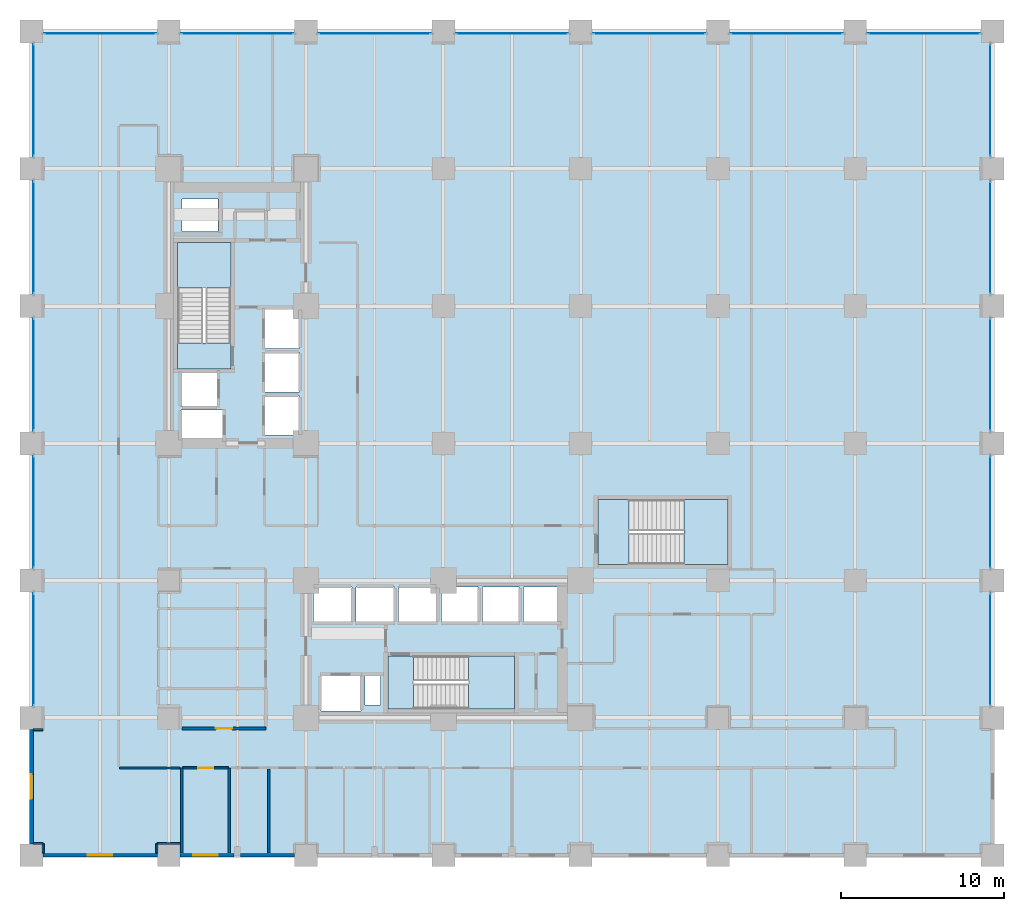
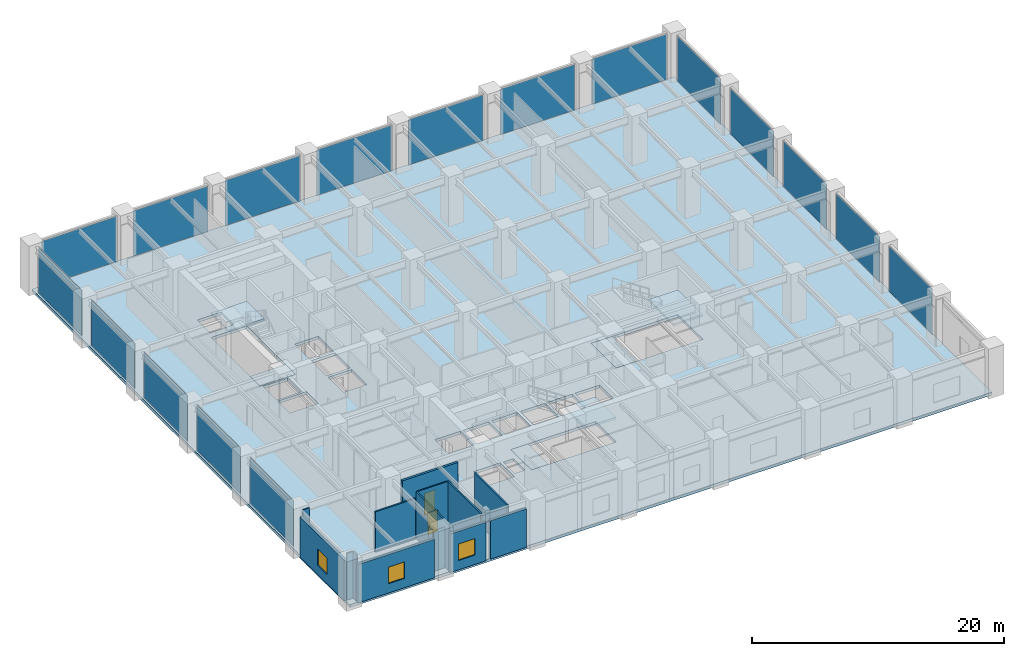
# One storey, part 18 of 24: 17 plates, 15 walls, 7 slabs, 3 windows, 2 doors, 5 openings, 20 elements without a shape of their own.
"""IFC4 building model written with IfcOpenShell, lengths in metres."""

from ifc_helpers import new_model, si_unit, direction, frame, frame_2d, origin, origin_2d, place, context, subcontext, project, spatial, polyline, rectangle, outline, extrude, material, layer, layer_set, type_object, element, fill, aggregate, save


model = new_model("IFC4")

# Units and contexts
model_context = context("Model", 3, precision=1e-05, world=origin(), true_north=direction((0.0, 1.0)))
body_context = subcontext(model_context, "Body", "Model", "MODEL_VIEW")
ifc_project = project(units=[si_unit("LENGTHUNIT", "METRE"), si_unit("AREAUNIT", "SQUARE_METRE"), si_unit("VOLUMEUNIT", "CUBIC_METRE"), si_unit("PLANEANGLEUNIT", "RADIAN"), si_unit("MASSUNIT", "GRAM", prefix="KILO")], contexts=[model_context])

# Site, building, storey
site_placement = place(None, origin())
site = spatial("IfcSite", under=ifc_project, at=site_placement, CompositionType="ELEMENT")
building_placement = place(site_placement, origin())
building = spatial("IfcBuilding", under=site, at=building_placement, Name="Nerrivon Quay Data Exchange", CompositionType="ELEMENT")
storey_placement = place(building_placement, frame((0.0, 0.0, 10.199951171875)))
storey = spatial("IfcBuildingStorey", under=building, at=storey_placement, Name="L02", CompositionType="ELEMENT", Elevation=10.199951171875)

# Curtain wall, plate
ifc_material_1 = material(Name="Anodised aluminium 6063-T6", Category="aluminium")
ifc_layer_1 = layer(ifc_material_1, 0.239990234375)
ifc_layer_set_1 = layer_set([ifc_layer_1], Name="Anodised aluminium 6063-T6")
curtain_wall_type = type_object("IfcCurtainWallType", Name="CW-SYS-03", PredefinedType="NOTDEFINED", material=ifc_layer_set_1)
curtain_wall_1_placement = place(storey_placement, origin())
curtain_wall_1 = element("IfcCurtainWall", 1, at=curtain_wall_1_placement, inside=storey, type_object=curtain_wall_type, Name="L02 Unitised Curtain Wall 2", PredefinedType="NOTDEFINED")
ifc_material_2 = material(Name="Double-glazed low-E solar control glass", Category="glass")
ifc_layer_2 = layer(ifc_material_2, 0.031982421875)
ifc_layer_set_2 = layer_set([ifc_layer_2], Name="Double-glazed low-E solar control glass")
plate_type = type_object("IfcPlateType", Name="CWP-GLZ-32", PredefinedType="CURTAIN_PANEL", material=ifc_layer_set_2)
plate_1_placement = place(storey_placement, frame((0.139892578125, 12.60009765625, 0.06494140625), z_axis=(0.0, 0.0, 1.0), x_axis=(0.0, 1.0, 0.0)))
plate_1 = element("IfcPlate", 2, at=plate_1_placement, type_object=plate_type, Name="CW03 panel 1.1", PredefinedType="CURTAIN_PANEL", context=body_context, shape_type="SweptSolid", body=[
    extrude(rectangle(XDim=6.85009765625, YDim=0.028076171875, at=origin_2d()), origin(), (0.0, 0.0, 1.0), 4.39501953125),
])
aggregate(curtain_wall_1, [plate_1])

curtain_wall_2_placement = place(storey_placement, origin())
curtain_wall_2 = element("IfcCurtainWall", 3, at=curtain_wall_2_placement, inside=storey, type_object=curtain_wall_type, Name="L02 Unitised Curtain Wall 3", PredefinedType="NOTDEFINED")
plate_2_placement = place(storey_placement, frame((0.139892578125, 21.0, 0.06494140625), z_axis=(0.0, 0.0, 1.0), x_axis=(0.0, 1.0, 0.0)))
plate_2 = element("IfcPlate", 4, at=plate_2_placement, type_object=plate_type, Name="CW03 panel 1.1", PredefinedType="CURTAIN_PANEL", context=body_context, shape_type="SweptSolid", body=[
    extrude(rectangle(XDim=6.85009765625, YDim=0.028076171875, at=origin_2d()), origin(), (0.0, 0.0, 1.0), 4.39501953125),
])
aggregate(curtain_wall_2, [plate_2])

curtain_wall_3_placement = place(storey_placement, origin())
curtain_wall_3 = element("IfcCurtainWall", 5, at=curtain_wall_3_placement, inside=storey, type_object=curtain_wall_type, Name="L02 Unitised Curtain Wall 4", PredefinedType="NOTDEFINED")
plate_3_placement = place(storey_placement, frame((0.139892578125, 29.39990234375, 0.06494140625), z_axis=(0.0, 0.0, 1.0), x_axis=(0.0, 1.0, 0.0)))
plate_3 = element("IfcPlate", 6, at=plate_3_placement, type_object=plate_type, Name="CW03 panel 1.1", PredefinedType="CURTAIN_PANEL", context=body_context, shape_type="SweptSolid", body=[
    extrude(rectangle(XDim=6.85009765625, YDim=0.028076171875, at=origin_2d()), origin(), (0.0, 0.0, 1.0), 4.39501953125),
])
aggregate(curtain_wall_3, [plate_3])

curtain_wall_4_placement = place(storey_placement, origin())
curtain_wall_4 = element("IfcCurtainWall", 7, at=curtain_wall_4_placement, inside=storey, type_object=curtain_wall_type, Name="L02 Unitised Curtain Wall 5", PredefinedType="NOTDEFINED")
plate_4_placement = place(storey_placement, frame((0.139892578125, 37.800048828125, 0.06494140625), z_axis=(0.0, 0.0, 1.0), x_axis=(0.0, 1.0, 0.0)))
plate_4 = element("IfcPlate", 8, at=plate_4_placement, type_object=plate_type, Name="CW03 panel 1.1", PredefinedType="CURTAIN_PANEL", context=body_context, shape_type="SweptSolid", body=[
    extrude(rectangle(XDim=6.85009765625, YDim=0.028076171875, at=origin_2d()), origin(), (0.0, 0.0, 1.0), 4.39501953125),
])
aggregate(curtain_wall_4, [plate_4])

curtain_wall_5_placement = place(storey_placement, origin())
curtain_wall_5 = element("IfcCurtainWall", 9, at=curtain_wall_5_placement, inside=storey, type_object=curtain_wall_type, Name="L02 Unitised Curtain Wall 6", PredefinedType="NOTDEFINED")
plate_5_placement = place(storey_placement, frame((0.139892578125, 46.199951171875, 0.06494140625), z_axis=(0.0, 0.0, 1.0), x_axis=(0.0, 1.0, 0.0)))
plate_5 = element("IfcPlate", 10, at=plate_5_placement, type_object=plate_type, Name="CW03 panel 1.1", PredefinedType="CURTAIN_PANEL", context=body_context, shape_type="SweptSolid", body=[
    extrude(rectangle(XDim=6.85009765625, YDim=0.028076171875, at=origin_2d()), origin(), (0.0, 0.0, 1.0), 4.39501953125),
])
aggregate(curtain_wall_5, [plate_5])

curtain_wall_6_placement = place(storey_placement, origin())
curtain_wall_6 = element("IfcCurtainWall", 11, at=curtain_wall_6_placement, inside=storey, type_object=curtain_wall_type, Name="L02 Unitised Curtain Wall 7", PredefinedType="NOTDEFINED")
plate_6_placement = place(storey_placement, frame((4.199951171875, 50.260009765625, 0.06494140625), z_axis=(0.0, 0.0, 1.0), x_axis=(1.0, 0.0, 0.0)))
plate_6 = element("IfcPlate", 12, at=plate_6_placement, type_object=plate_type, Name="CW03 panel 1.1", PredefinedType="CURTAIN_PANEL", context=body_context, shape_type="SweptSolid", body=[
    extrude(rectangle(XDim=6.85009765625, YDim=0.028076171875, at=origin_2d()), origin(), (0.0, 0.0, 1.0), 4.39501953125),
])
aggregate(curtain_wall_6, [plate_6])

curtain_wall_7_placement = place(storey_placement, origin())
curtain_wall_7 = element("IfcCurtainWall", 13, at=curtain_wall_7_placement, inside=storey, type_object=curtain_wall_type, Name="L02 Unitised Curtain Wall 8", PredefinedType="NOTDEFINED")
plate_7_placement = place(storey_placement, frame((12.60009765625, 50.260009765625, 0.06494140625), z_axis=(0.0, 0.0, 1.0), x_axis=(1.0, 0.0, 0.0)))
plate_7 = element("IfcPlate", 14, at=plate_7_placement, type_object=plate_type, Name="CW03 panel 1.1", PredefinedType="CURTAIN_PANEL", context=body_context, shape_type="SweptSolid", body=[
    extrude(rectangle(XDim=6.85009765625, YDim=0.028076171875, at=origin_2d()), origin(), (0.0, 0.0, 1.0), 4.39501953125),
])
aggregate(curtain_wall_7, [plate_7])

curtain_wall_8_placement = place(storey_placement, origin())
curtain_wall_8 = element("IfcCurtainWall", 15, at=curtain_wall_8_placement, inside=storey, type_object=curtain_wall_type, Name="L02 Unitised Curtain Wall 9", PredefinedType="NOTDEFINED")
plate_8_placement = place(storey_placement, frame((21.0, 50.260009765625, 0.06494140625), z_axis=(0.0, 0.0, 1.0), x_axis=(1.0, 0.0, 0.0)))
plate_8 = element("IfcPlate", 16, at=plate_8_placement, type_object=plate_type, Name="CW03 panel 1.1", PredefinedType="CURTAIN_PANEL", context=body_context, shape_type="SweptSolid", body=[
    extrude(rectangle(XDim=6.85009765625, YDim=0.028076171875, at=origin_2d()), origin(), (0.0, 0.0, 1.0), 4.39501953125),
])
aggregate(curtain_wall_8, [plate_8])

curtain_wall_9_placement = place(storey_placement, origin())
curtain_wall_9 = element("IfcCurtainWall", 17, at=curtain_wall_9_placement, inside=storey, type_object=curtain_wall_type, Name="L02 Unitised Curtain Wall 10", PredefinedType="NOTDEFINED")
plate_9_placement = place(storey_placement, frame((29.39990234375, 50.260009765625, 0.06494140625), z_axis=(0.0, 0.0, 1.0), x_axis=(1.0, 0.0, 0.0)))
plate_9 = element("IfcPlate", 18, at=plate_9_placement, type_object=plate_type, Name="CW03 panel 1.1", PredefinedType="CURTAIN_PANEL", context=body_context, shape_type="SweptSolid", body=[
    extrude(rectangle(XDim=6.85009765625, YDim=0.028076171875, at=origin_2d()), origin(), (0.0, 0.0, 1.0), 4.39501953125),
])
aggregate(curtain_wall_9, [plate_9])

curtain_wall_10_placement = place(storey_placement, origin())
curtain_wall_10 = element("IfcCurtainWall", 19, at=curtain_wall_10_placement, inside=storey, type_object=curtain_wall_type, Name="L02 Unitised Curtain Wall 11", PredefinedType="NOTDEFINED")
plate_10_placement = place(storey_placement, frame((37.800048828125, 50.260009765625, 0.06494140625), z_axis=(0.0, 0.0, 1.0), x_axis=(1.0, 0.0, 0.0)))
plate_10 = element("IfcPlate", 20, at=plate_10_placement, type_object=plate_type, Name="CW03 panel 1.1", PredefinedType="CURTAIN_PANEL", context=body_context, shape_type="SweptSolid", body=[
    extrude(rectangle(XDim=6.85009765625, YDim=0.028076171875, at=origin_2d()), origin(), (0.0, 0.0, 1.0), 4.39501953125),
])
aggregate(curtain_wall_10, [plate_10])

curtain_wall_11_placement = place(storey_placement, origin())
curtain_wall_11 = element("IfcCurtainWall", 21, at=curtain_wall_11_placement, inside=storey, type_object=curtain_wall_type, Name="L02 Unitised Curtain Wall 12", PredefinedType="NOTDEFINED")
plate_11_placement = place(storey_placement, frame((46.199951171875, 50.260009765625, 0.06494140625), z_axis=(0.0, 0.0, 1.0), x_axis=(1.0, 0.0, 0.0)))
plate_11 = element("IfcPlate", 22, at=plate_11_placement, type_object=plate_type, Name="CW03 panel 1.1", PredefinedType="CURTAIN_PANEL", context=body_context, shape_type="SweptSolid", body=[
    extrude(rectangle(XDim=6.85009765625, YDim=0.028076171875, at=origin_2d()), origin(), (0.0, 0.0, 1.0), 4.39501953125),
])
aggregate(curtain_wall_11, [plate_11])

curtain_wall_12_placement = place(storey_placement, origin())
curtain_wall_12 = element("IfcCurtainWall", 23, at=curtain_wall_12_placement, inside=storey, type_object=curtain_wall_type, Name="L02 Unitised Curtain Wall 13", PredefinedType="NOTDEFINED")
plate_12_placement = place(storey_placement, frame((54.60009765625, 50.260009765625, 0.06494140625), z_axis=(0.0, 0.0, 1.0), x_axis=(1.0, 0.0, 0.0)))
plate_12 = element("IfcPlate", 24, at=plate_12_placement, type_object=plate_type, Name="CW03 panel 1.1", PredefinedType="CURTAIN_PANEL", context=body_context, shape_type="SweptSolid", body=[
    extrude(rectangle(XDim=6.85009765625, YDim=0.028076171875, at=origin_2d()), origin(), (0.0, 0.0, 1.0), 4.39501953125),
])
aggregate(curtain_wall_12, [plate_12])

curtain_wall_13_placement = place(storey_placement, origin())
curtain_wall_13 = element("IfcCurtainWall", 25, at=curtain_wall_13_placement, inside=storey, type_object=curtain_wall_type, Name="L02 Unitised Curtain Wall 14", PredefinedType="NOTDEFINED")
plate_13_placement = place(storey_placement, frame((58.659912109375, 46.199951171875, 0.06494140625), z_axis=(0.0, 0.0, 1.0), x_axis=(0.0, -1.0, 0.0)))
plate_13 = element("IfcPlate", 26, at=plate_13_placement, type_object=plate_type, Name="CW03 panel 1.1", PredefinedType="CURTAIN_PANEL", context=body_context, shape_type="SweptSolid", body=[
    extrude(rectangle(XDim=6.85009765625, YDim=0.028076171875, at=origin_2d()), origin(), (0.0, 0.0, 1.0), 4.39501953125),
])
aggregate(curtain_wall_13, [plate_13])

curtain_wall_14_placement = place(storey_placement, origin())
curtain_wall_14 = element("IfcCurtainWall", 27, at=curtain_wall_14_placement, inside=storey, type_object=curtain_wall_type, Name="L02 Unitised Curtain Wall 15", PredefinedType="NOTDEFINED")
plate_14_placement = place(storey_placement, frame((58.659912109375, 37.800048828125, 0.06494140625), z_axis=(0.0, 0.0, 1.0), x_axis=(0.0, -1.0, 0.0)))
plate_14 = element("IfcPlate", 28, at=plate_14_placement, type_object=plate_type, Name="CW03 panel 1.1", PredefinedType="CURTAIN_PANEL", context=body_context, shape_type="SweptSolid", body=[
    extrude(rectangle(XDim=6.85009765625, YDim=0.028076171875, at=origin_2d()), origin(), (0.0, 0.0, 1.0), 4.39501953125),
])
aggregate(curtain_wall_14, [plate_14])

curtain_wall_15_placement = place(storey_placement, origin())
curtain_wall_15 = element("IfcCurtainWall", 29, at=curtain_wall_15_placement, inside=storey, type_object=curtain_wall_type, Name="L02 Unitised Curtain Wall 16", PredefinedType="NOTDEFINED")
plate_15_placement = place(storey_placement, frame((58.659912109375, 29.39990234375, 0.06494140625), z_axis=(0.0, 0.0, 1.0), x_axis=(0.0, -1.0, 0.0)))
plate_15 = element("IfcPlate", 30, at=plate_15_placement, type_object=plate_type, Name="CW03 panel 1.1", PredefinedType="CURTAIN_PANEL", context=body_context, shape_type="SweptSolid", body=[
    extrude(rectangle(XDim=6.85009765625, YDim=0.028076171875, at=origin_2d()), origin(), (0.0, 0.0, 1.0), 4.39501953125),
])
aggregate(curtain_wall_15, [plate_15])

curtain_wall_16_placement = place(storey_placement, origin())
curtain_wall_16 = element("IfcCurtainWall", 31, at=curtain_wall_16_placement, inside=storey, type_object=curtain_wall_type, Name="L02 Unitised Curtain Wall 17", PredefinedType="NOTDEFINED")
plate_16_placement = place(storey_placement, frame((58.659912109375, 21.0, 0.06494140625), z_axis=(0.0, 0.0, 1.0), x_axis=(0.0, -1.0, 0.0)))
plate_16 = element("IfcPlate", 32, at=plate_16_placement, type_object=plate_type, Name="CW03 panel 1.1", PredefinedType="CURTAIN_PANEL", context=body_context, shape_type="SweptSolid", body=[
    extrude(rectangle(XDim=6.85009765625, YDim=0.028076171875, at=origin_2d()), origin(), (0.0, 0.0, 1.0), 4.39501953125),
])
aggregate(curtain_wall_16, [plate_16])

curtain_wall_17_placement = place(storey_placement, origin())
curtain_wall_17 = element("IfcCurtainWall", 33, at=curtain_wall_17_placement, inside=storey, type_object=curtain_wall_type, Name="L02 Unitised Curtain Wall 18", PredefinedType="NOTDEFINED")
plate_17_placement = place(storey_placement, frame((58.659912109375, 12.60009765625, 0.06494140625), z_axis=(0.0, 0.0, 1.0), x_axis=(0.0, -1.0, 0.0)))
plate_17 = element("IfcPlate", 34, at=plate_17_placement, type_object=plate_type, Name="CW03 panel 1.1", PredefinedType="CURTAIN_PANEL", context=body_context, shape_type="SweptSolid", body=[
    extrude(rectangle(XDim=6.85009765625, YDim=0.028076171875, at=origin_2d()), origin(), (0.0, 0.0, 1.0), 4.39501953125),
])
aggregate(curtain_wall_17, [plate_17])

# Stair, slab
ifc_material_3 = material(Name="Concrete N50 (50 MPa)", Category="concrete")
stair_type = type_object("IfcStairType", Name="STAIR-DOG-48", PredefinedType="HALF_TURN_STAIR", material=ifc_material_3)
stair_1_placement = place(storey_placement, origin())
stair_1 = element("IfcStair", 35, at=stair_1_placement, inside=storey, type_object=stair_type, Name="L02 West Core Fire Stair ST01", PredefinedType="HALF_TURN_STAIR")
ifc_layer_3 = layer(ifc_material_3, 0.199951171875)
ifc_layer_set_3 = layer_set([ifc_layer_3], Name="Concrete N50 (50 MPa)")
slab_type_1 = type_object("IfcSlabType", Name="SLB-LAND-200", PredefinedType="LANDING", material=ifc_layer_set_3)
slab_1_placement = place(storey_placement, frame((0.0, 0.0, 2.199951171875)))
slab_1 = element("IfcSlab", 36, at=slab_1_placement, type_object=slab_type_1, Name="ST01 landing 1", PredefinedType="LANDING", context=body_context, shape_type="SweptSolid", body=[
    extrude(outline(polyline([(12.199951171875, 34.68994140625), (12.199951171875, 37.5), (8.949951171875, 37.5), (8.949951171875, 34.68994140625), (12.199951171875, 34.68994140625)])), origin(), (0.0, 0.0, 1.0), 0.2001953125),
])
aggregate(stair_1, [slab_1])

# Slab
slab_2_placement = place(storey_placement, frame((0.0, 0.0, -0.199951171875)))
element("IfcSlab", 37, at=slab_2_placement, inside=storey, type_object=slab_type_1, Name="L02 ST01 floor landing", PredefinedType="LANDING", context=body_context, shape_type="SweptSolid", body=[
    extrude(outline(polyline([(12.199951171875, 29.75), (12.199951171875, 31.330078125), (8.949951171875, 31.330078125), (8.949951171875, 29.75), (12.199951171875, 29.75)])), origin(), (0.0, 0.0, 1.0), 0.199951171875),
])

# Stair, slab
stair_2_placement = place(storey_placement, origin())
stair_2 = element("IfcStair", 38, at=stair_2_placement, inside=storey, type_object=stair_type, Name="L02 East Core Fire Stair ST02", PredefinedType="HALF_TURN_STAIR")
slab_3_placement = place(storey_placement, frame((0.0, 0.0, 2.199951171875)))
slab_3 = element("IfcSlab", 39, at=slab_3_placement, type_object=slab_type_1, Name="ST02 landing 1", PredefinedType="LANDING", context=body_context, shape_type="SweptSolid", body=[
    extrude(outline(polyline([(26.739990234375, 8.949951171875), (29.550048828125, 8.949951171875), (29.550048828125, 12.199951171875), (26.739990234375, 12.199951171875), (26.739990234375, 8.949951171875)])), origin(), (0.0, 0.0, 1.0), 0.2001953125),
])
aggregate(stair_2, [slab_3])

# Slab
slab_4_placement = place(storey_placement, frame((0.0, 0.0, -0.199951171875)))
element("IfcSlab", 40, at=slab_4_placement, inside=storey, type_object=slab_type_1, Name="L02 ST02 floor landing", PredefinedType="LANDING", context=body_context, shape_type="SweptSolid", body=[
    extrude(outline(polyline([(21.800048828125, 8.949951171875), (23.3798828125, 8.949951171875), (23.3798828125, 12.199951171875), (21.800048828125, 12.199951171875), (21.800048828125, 8.949951171875)])), origin(), (0.0, 0.0, 1.0), 0.199951171875),
])

# Stair, slab
stair_3_placement = place(storey_placement, origin())
stair_3 = element("IfcStair", 41, at=stair_3_placement, inside=storey, type_object=stair_type, Name="L02 Podium Exit Stair ST03", PredefinedType="HALF_TURN_STAIR")
slab_5_placement = place(storey_placement, frame((0.0, 0.0, 2.199951171875)))
slab_5 = element("IfcSlab", 42, at=slab_5_placement, type_object=slab_type_1, Name="ST03 landing 1", PredefinedType="LANDING", context=body_context, shape_type="SweptSolid", body=[
    extrude(outline(polyline([(39.929931640625, 17.800048828125), (42.60009765625, 17.800048828125), (42.60009765625, 21.75), (39.929931640625, 21.75), (39.929931640625, 17.800048828125)])), origin(), (0.0, 0.0, 1.0), 0.2001953125),
])
aggregate(stair_3, [slab_5])

# Slabs
slab_6_placement = place(storey_placement, frame((0.0, 0.0, -0.199951171875)))
element("IfcSlab", 43, at=slab_6_placement, inside=storey, type_object=slab_type_1, Name="L02 ST03 floor landing", PredefinedType="LANDING", context=body_context, shape_type="SweptSolid", body=[
    extrude(outline(polyline([(34.64990234375, 17.800048828125), (36.570068359375, 17.800048828125), (36.570068359375, 21.75), (34.64990234375, 21.75), (34.64990234375, 17.800048828125)])), origin(), (0.0, 0.0, 1.0), 0.199951171875),
])
ifc_layer_4 = layer(ifc_material_3, 0.320068359375)
ifc_layer_set_4 = layer_set([ifc_layer_4], Name="Concrete N50 (50 MPa)")
slab_type_2 = type_object("IfcSlabType", Name="SLB-POD-320", PredefinedType="FLOOR", material=ifc_layer_set_4)
slab_7_placement = place(storey_placement, frame((0.0, 0.0, -0.27490234375)))
element("IfcSlab", 44, at=slab_7_placement, inside=storey, type_object=slab_type_2, Name="L02 Primary Structural Slab", PredefinedType="FLOOR", context=body_context, shape_type="SweptSolid", body=[
    extrude(outline(polyline([(58.800048828125, 0.0), (58.800048828125, 50.39990234375), (0.0, 50.39990234375), (0.0, 0.0), (58.800048828125, 0.0)]), holes=[polyline([(8.949951171875, 29.75), (8.949951171875, 37.5), (12.199951171875, 37.5), (12.199951171875, 29.75), (8.949951171875, 29.75)]), polyline([(21.800048828125, 12.199951171875), (29.550048828125, 12.199951171875), (29.550048828125, 8.949951171875), (21.800048828125, 8.949951171875), (21.800048828125, 12.199951171875)]), polyline([(34.64990234375, 21.75), (42.60009765625, 21.75), (42.60009765625, 17.800048828125), (34.64990234375, 17.800048828125), (34.64990234375, 21.75)]), polyline([(30.10009765625, 16.39990234375), (32.35009765625, 16.39990234375), (32.35009765625, 14.25), (30.10009765625, 14.25), (30.10009765625, 16.39990234375)]), polyline([(27.60009765625, 16.39990234375), (29.85009765625, 16.39990234375), (29.85009765625, 14.25), (27.60009765625, 14.25), (27.60009765625, 16.39990234375)]), polyline([(25.10009765625, 16.39990234375), (27.35009765625, 16.39990234375), (27.35009765625, 14.25), (25.10009765625, 14.25), (25.10009765625, 16.39990234375)]), polyline([(22.449951171875, 16.39990234375), (24.800048828125, 16.39990234375), (24.800048828125, 14.25), (22.449951171875, 14.25), (22.449951171875, 16.39990234375)]), polyline([(19.85009765625, 16.39990234375), (22.199951171875, 16.39990234375), (22.199951171875, 14.25), (19.85009765625, 14.25), (19.85009765625, 16.39990234375)]), polyline([(20.39990234375, 11.0), (21.35009765625, 11.0), (21.35009765625, 9.199951171875), (20.39990234375, 9.199951171875), (20.39990234375, 11.0)]), polyline([(17.699951171875, 8.830078125), (17.699951171875, 11.030029296875), (20.14990234375, 11.030029296875), (20.14990234375, 8.830078125), (17.699951171875, 8.830078125)]), polyline([(17.25, 14.25), (17.25, 16.39990234375), (19.60009765625, 16.39990234375), (19.60009765625, 14.25), (17.25, 14.25)]), polyline([(14.25, 28.10009765625), (16.39990234375, 28.10009765625), (16.39990234375, 25.699951171875), (14.25, 25.699951171875), (14.25, 28.10009765625)]), polyline([(14.25, 30.75), (16.39990234375, 30.75), (16.39990234375, 28.35009765625), (14.25, 28.35009765625), (14.25, 30.75)]), polyline([(14.25, 33.39990234375), (16.39990234375, 33.39990234375), (16.39990234375, 31.0), (14.25, 31.0), (14.25, 33.39990234375)]), polyline([(9.14990234375, 27.25), (11.75, 27.25), (11.75, 25.35009765625), (9.14990234375, 25.35009765625), (9.14990234375, 27.25)]), polyline([(9.14990234375, 29.60009765625), (11.39990234375, 29.60009765625), (11.39990234375, 27.449951171875), (9.14990234375, 27.449951171875), (9.14990234375, 29.60009765625)]), polyline([(9.199951171875, 40.14990234375), (11.39990234375, 40.14990234375), (11.39990234375, 38.14990234375), (9.199951171875, 38.14990234375), (9.199951171875, 40.14990234375)])]), origin(), (0.0, 0.0, 1.0), 0.27490234375),
])

# Wall, opening, window
ifc_material_4 = material(Name="Architectural terracotta precast concrete N50 (50 MPa)", Category="masonry")
ifc_layer_5 = layer(ifc_material_4, 0.239990234375)
ifc_layer_set_5 = layer_set([ifc_layer_5], Name="Architectural terracotta precast concrete N50 (50 MPa)")
wall_type_1 = type_object("IfcWallType", Name="EW-PREC-240", PredefinedType="STANDARD", material=ifc_layer_set_5)
wall_1_placement = place(storey_placement, frame((0.0, 0.699951171875, 0.0), z_axis=(0.0, 0.0, 1.0), x_axis=(0.0, 1.0, 0.0)))
wall_1 = element("IfcWall", 45, at=wall_1_placement, inside=storey, type_object=wall_type_1, Name="L02 Podium Precast Spandrel Wall 1", PredefinedType="STANDARD", context=body_context, shape_type="SweptSolid", body=[
    extrude(rectangle(XDim=7.0, YDim=0.239990234375, at=frame_2d((3.5, 0.0))), origin(), (0.0, 0.0, 1.0), 3.9130859375),
])
opening_1_placement = place(wall_1_placement, frame((2.75, 0.0, 0.89990234375)))
opening_1 = element("IfcOpeningElement", 46, at=opening_1_placement, cuts=wall_1, Name="Opening WN4", PredefinedType="OPENING", context=body_context, shape_type="SweptSolid", body=[
    extrude(rectangle(XDim=1.5, YDim=1.60009765625, at=frame_2d((0.75, 0.800048828125))), frame((0.0, 0.1298828125, 0.0), z_axis=(0.0, -1.0, 0.0), x_axis=(1.0, 0.0, 0.0)), (0.0, 0.0, 1.0), 0.260009765625),
])
window_type = type_object("IfcWindowType", Name="WIN-W4-1500x1600", PartitioningType="SINGLE_PANEL", PredefinedType="WINDOW", material=ifc_material_2)
window_1_placement = place(opening_1_placement, origin())
window_1 = element("IfcWindow", 47, at=window_1_placement, inside=storey, type_object=window_type, Name="L02 Solar Facade Window 1", OverallHeight=1.60009765625, OverallWidth=1.5, PartitioningType="SINGLE_PANEL", PredefinedType="WINDOW", context=body_context, shape_type="SweptSolid", body=[
    extrude(rectangle(XDim=1.5, YDim=1.60009765625, at=frame_2d((0.75, 0.800048828125))), frame((0.0, 0.030029296875, 0.0), z_axis=(0.0, -1.0, 0.0), x_axis=(1.0, 0.0, 0.0)), (0.0, 0.0, 1.0), 0.06005859375),
])
fill(opening_1, window_1)

# Wall
wall_2_placement = place(storey_placement, frame((16.10009765625, 0.0, 0.0), z_axis=(0.0, 0.0, 1.0), x_axis=(-1.0, 0.0, 0.0)))
element("IfcWall", 48, at=wall_2_placement, inside=storey, type_object=wall_type_1, Name="L02 Podium Precast Spandrel Wall 27", PredefinedType="STANDARD", context=body_context, shape_type="SweptSolid", body=[
    extrude(rectangle(XDim=3.300048828125, YDim=0.239990234375, at=frame_2d((1.64990234375, 0.0))), origin(), (0.0, 0.0, 1.0), 3.72509765625),
])

# Wall, opening, window
wall_3_placement = place(storey_placement, frame((12.39990234375, 0.0, 0.0), z_axis=(0.0, 0.0, 1.0), x_axis=(-1.0, 0.0, 0.0)))
wall_3 = element("IfcWall", 49, at=wall_3_placement, inside=storey, type_object=wall_type_1, Name="L02 Podium Precast Spandrel Wall 28", PredefinedType="STANDARD", context=body_context, shape_type="SweptSolid", body=[
    extrude(rectangle(XDim=3.2998046875, YDim=0.239990234375, at=frame_2d((1.64990234375, 0.0))), origin(), (0.0, 0.0, 1.0), 3.72509765625),
])
opening_2_placement = place(wall_3_placement, frame((1.0, 0.0, 0.89990234375)))
opening_2 = element("IfcOpeningElement", 50, at=opening_2_placement, cuts=wall_3, Name="Opening WN4", PredefinedType="OPENING", context=body_context, shape_type="SweptSolid", body=[
    extrude(rectangle(XDim=1.5, YDim=1.60009765625, at=frame_2d((0.75, 0.800048828125))), frame((0.0, 0.1298828125, 0.0), z_axis=(0.0, -1.0, 0.0), x_axis=(1.0, 0.0, 0.0)), (0.0, 0.0, 1.0), 0.260009765625),
])
window_2_placement = place(opening_2_placement, origin())
window_2 = element("IfcWindow", 51, at=window_2_placement, inside=storey, type_object=window_type, Name="L02 Solar Facade Window 28", OverallHeight=1.60009765625, OverallWidth=1.5, PartitioningType="SINGLE_PANEL", PredefinedType="WINDOW", context=body_context, shape_type="SweptSolid", body=[
    extrude(rectangle(XDim=1.5, YDim=1.60009765625, at=frame_2d((0.75, 0.800048828125))), frame((0.0, 0.030029296875, 0.0), z_axis=(0.0, -1.0, 0.0), x_axis=(1.0, 0.0, 0.0)), (0.0, 0.0, 1.0), 0.06005859375),
])
fill(opening_2, window_2)

wall_4_placement = place(storey_placement, frame((7.699951171875, 0.0, 0.0), z_axis=(0.0, 0.0, 1.0), x_axis=(-1.0, 0.0, 0.0)))
wall_4 = element("IfcWall", 52, at=wall_4_placement, inside=storey, type_object=wall_type_1, Name="L02 Podium Precast Spandrel Wall 29", PredefinedType="STANDARD", context=body_context, shape_type="SweptSolid", body=[
    extrude(rectangle(XDim=7.0, YDim=0.239990234375, at=frame_2d((3.5, 0.0))), origin(), (0.0, 0.0, 1.0), 3.72509765625),
])
opening_3_placement = place(wall_4_placement, frame((2.75, 0.0, 0.89990234375)))
opening_3 = element("IfcOpeningElement", 53, at=opening_3_placement, cuts=wall_4, Name="Opening WN4", PredefinedType="OPENING", context=body_context, shape_type="SweptSolid", body=[
    extrude(rectangle(XDim=1.5, YDim=1.60009765625, at=frame_2d((0.75, 0.800048828125))), frame((0.0, 0.1298828125, 0.0), z_axis=(0.0, -1.0, 0.0), x_axis=(1.0, 0.0, 0.0)), (0.0, 0.0, 1.0), 0.260009765625),
])
window_3_placement = place(opening_3_placement, origin())
window_3 = element("IfcWindow", 54, at=window_3_placement, inside=storey, type_object=window_type, Name="L02 Solar Facade Window 29", OverallHeight=1.60009765625, OverallWidth=1.5, PartitioningType="SINGLE_PANEL", PredefinedType="WINDOW", context=body_context, shape_type="SweptSolid", body=[
    extrude(rectangle(XDim=1.5, YDim=1.60009765625, at=frame_2d((0.75, 0.800048828125))), frame((0.0, 0.030029296875, 0.0), z_axis=(0.0, -1.0, 0.0), x_axis=(1.0, 0.0, 0.0)), (0.0, 0.0, 1.0), 0.06005859375),
])
fill(opening_3, window_3)

# Wall, opening, door
ifc_material_5 = material(Name="Gypsum plasterboard on cold-formed framing", Category="gypsum")
ifc_layer_6 = layer(ifc_material_5, 0.199951171875)
ifc_layer_set_6 = layer_set([ifc_layer_6], Name="Gypsum plasterboard on cold-formed framing")
wall_type_2 = type_object("IfcWallType", Name="WALL-FW-200", PredefinedType="PARTITIONING", material=ifc_layer_set_6)
wall_5_placement = place(storey_placement, frame((9.22412109375, 7.760009765625, 0.0), z_axis=(0.0, 0.0, 1.0), x_axis=(1.0, 0.0, 0.0)))
wall_5 = element("IfcWall", 55, at=wall_5_placement, inside=storey, type_object=wall_type_2, Name="L02 Partition Colocation Data Workspace 1", PredefinedType="PARTITIONING", context=body_context, shape_type="SweptSolid", body=[
    extrude(rectangle(XDim=5.115966796875, YDim=0.199951171875, at=frame_2d((2.55810546875, 0.0))), origin(), (0.0, 0.0, 1.0), 4.1220703125),
])
opening_4_placement = place(wall_5_placement, frame((2.05810546875, 0.0, 0.0)))
opening_4 = element("IfcOpeningElement", 56, at=opening_4_placement, cuts=wall_5, Name="Opening FD-60", PredefinedType="OPENING", context=body_context, shape_type="SweptSolid", body=[
    extrude(rectangle(XDim=1.0, YDim=2.14990234375, at=frame_2d((0.5, 1.074951171875))), frame((0.0, 0.10986328125, 0.0), z_axis=(0.0, -1.0, 0.0), x_axis=(1.0, 0.0, 0.0)), (0.0, 0.0, 1.0), 0.219970703125),
])
ifc_material_6 = material(Name="Engineered hardwood timber", Category="wood")
door_type_1 = type_object("IfcDoorType", Name="DR-FD60-1000", OperationType="NOTDEFINED", PredefinedType="DOOR", material=ifc_material_6)
door_1_placement = place(opening_4_placement, origin())
door_1 = element("IfcDoor", 57, at=door_1_placement, inside=storey, type_object=door_type_1, Name="L02 Door Colocation Data Workspace 1", OperationType="SINGLE_SWING_LEFT", OverallHeight=2.14990234375, OverallWidth=1.0, PredefinedType="DOOR", context=body_context, shape_type="SweptSolid", body=[
    extrude(rectangle(XDim=1.0, YDim=2.14990234375, at=frame_2d((0.5, 1.074951171875))), frame((0.0, 0.02490234375, 0.0), z_axis=(0.0, -1.0, 0.0), x_axis=(1.0, 0.0, 0.0)), (0.0, 0.0, 1.0), 0.050048828125),
])
fill(opening_4, door_1)

ifc_layer_7 = layer(ifc_material_5, 0.1201171875)
ifc_layer_set_7 = layer_set([ifc_layer_7], Name="Gypsum plasterboard on cold-formed framing")
wall_type_3 = type_object("IfcWallType", Name="WALL-PT-120", PredefinedType="PARTITIONING", material=ifc_layer_set_7)
wall_6_placement = place(storey_placement, frame((12.028564453125, 5.340087890625, 0.0), z_axis=(0.0, 0.0, 1.0), x_axis=(-1.0, 0.0, 0.0)))
wall_6 = element("IfcWall", 58, at=wall_6_placement, inside=storey, type_object=wall_type_3, Name="L02 Partition Accessible Toilet", PredefinedType="PARTITIONING", context=body_context, shape_type="SweptSolid", body=[
    extrude(rectangle(XDim=2.757080078125, YDim=0.1201171875, at=frame_2d((1.37841796875, 0.0))), origin(), (0.0, 0.0, 1.0), 4.525146484375),
])
opening_5_placement = place(wall_6_placement, frame((0.91845703125, 0.0, 0.0)))
opening_5 = element("IfcOpeningElement", 59, at=opening_5_placement, cuts=wall_6, Name="Opening D-WC", PredefinedType="OPENING", context=body_context, shape_type="SweptSolid", body=[
    extrude(rectangle(XDim=0.919921875, YDim=2.10009765625, at=frame_2d((0.4599609375, 1.050048828125))), frame((0.0, 0.070068359375, 0.0), z_axis=(0.0, -1.0, 0.0), x_axis=(1.0, 0.0, 0.0)), (0.0, 0.0, 1.0), 0.14013671875),
])
door_type_2 = type_object("IfcDoorType", Name="DR-WC-920", OperationType="NOTDEFINED", PredefinedType="DOOR", material=ifc_material_6)
door_2_placement = place(opening_5_placement, origin())
door_2 = element("IfcDoor", 60, at=door_2_placement, inside=storey, type_object=door_type_2, Name="L02 Door Accessible Toilet", OperationType="SINGLE_SWING_LEFT", OverallHeight=2.10009765625, OverallWidth=0.919921875, PredefinedType="DOOR", context=body_context, shape_type="SweptSolid", body=[
    extrude(rectangle(XDim=0.919921875, YDim=2.10009765625, at=frame_2d((0.4599609375, 1.050048828125))), frame((0.0, 0.02490234375, 0.0), z_axis=(0.0, -1.0, 0.0), x_axis=(1.0, 0.0, 0.0)), (0.0, 0.0, 1.0), 0.050048828125),
])
fill(opening_5, door_2)

# Walls
for number, where, z_axis, x_axis, name in (
    (61, (0.699951171875, 7.679931640625, 0.0), (0.0, 0.0, 1.0), (-1.0, 0.0, 0.0), "L02 Partition Engineers Lounge 14"),
    (62, (0.1240234375, 0.719970703125, 0.0), (0.0, 0.0, 1.0), (1.0, 0.0, 0.0), "L02 Partition Engineers Lounge 14"),
    (63, (0.719970703125, 0.699951171875, 0.0), (0.0, 0.0, 1.0), (0.0, -1.0, 0.0), "L02 Partition Engineers Lounge 14"),
    (64, (7.679931640625, 0.1240234375, 0.0), (0.0, 0.0, 1.0), (0.0, 1.0, 0.0), "L02 Partition Engineers Lounge 14"),
):
    element("IfcWall", number, at=place(storey_placement, frame(where, z_axis=z_axis, x_axis=x_axis)), inside=storey, type_object=wall_type_3, Name=name, PredefinedType="PARTITIONING", context=body_context, shape_type="SweptSolid", body=[
        extrude(rectangle(XDim=0.575927734375, YDim=0.1201171875, at=frame_2d((0.2880859375, 0.0))), origin(), (0.0, 0.0, 1.0), 4.525146484375),
    ])
wall_7_placement = place(storey_placement, frame((7.699951171875, 0.719970703125, 0.0), z_axis=(0.0, 0.0, 1.0), x_axis=(1.0, 0.0, 0.0)))
element("IfcWall", 65, at=wall_7_placement, inside=storey, type_object=wall_type_3, Name="L02 Partition Engineers Lounge 14", PredefinedType="PARTITIONING", context=body_context, shape_type="SweptSolid", body=[
    extrude(rectangle(XDim=1.380126953125, YDim=0.1201171875, at=frame_2d((0.68994140625, 0.0))), origin(), (0.0, 0.0, 1.0), 3.9130859375),
])
ifc_layer_8 = layer(ifc_material_5, 0.135009765625)
ifc_layer_set_8 = layer_set([ifc_layer_8], Name="Gypsum plasterboard on cold-formed framing")
wall_type_4 = type_object("IfcWallType", Name="WALL-PT-135", PredefinedType="PARTITIONING", material=ifc_layer_set_8)
for number, where, z_axis, x_axis, name in (
    (66, (9.199951171875, 5.340087890625, 0.0), (0.0, 0.0, 1.0), (0.0, -1.0, 0.0), "L02 Partition Accessible Toilet"),
    (67, (12.10009765625, 0.1240234375, 0.0), (0.0, 0.0, 1.0), (0.0, 1.0, 0.0), "L02 Partition Accessible Toilet"),
):
    element("IfcWall", number, at=place(storey_placement, frame(where, z_axis=z_axis, x_axis=x_axis)), inside=storey, type_object=wall_type_4, Name=name, PredefinedType="PARTITIONING", context=body_context, shape_type="SweptSolid", body=[
        extrude(rectangle(XDim=5.216064453125, YDim=0.135009765625, at=frame_2d((2.60791015625, 0.0))), origin(), (0.0, 0.0, 1.0), 4.525146484375),
    ])
wall_8_placement = place(storey_placement, frame((14.5224609375, 0.1240234375, 0.0), z_axis=(0.0, 0.0, 1.0), x_axis=(0.0, 1.0, 0.0)))
element("IfcWall", 68, at=wall_8_placement, inside=storey, type_object=wall_type_4, Name="L02 Partition Exchange Gallery Auditorium", PredefinedType="PARTITIONING", context=body_context, shape_type="SweptSolid", body=[
    extrude(rectangle(XDim=5.15185546875, YDim=0.135009765625, at=frame_2d((2.575927734375, 0.0))), origin(), (0.0, 0.0, 1.0), 4.525146484375),
])
wall_9_placement = place(storey_placement, frame((9.080078125, 5.340087890625, 0.0), z_axis=(0.0, 0.0, 1.0), x_axis=(-1.0, 0.0, 0.0)))
element("IfcWall", 69, at=wall_9_placement, inside=storey, type_object=wall_type_4, Name="L02 Partition Engineers Lounge 14", PredefinedType="PARTITIONING", context=body_context, shape_type="SweptSolid", body=[
    extrude(rectangle(XDim=3.68017578125, YDim=0.135009765625, at=frame_2d((1.840087890625, 0.0))), origin(), (0.0, 0.0, 1.0), 3.9130859375),
])

save(model, "model.ifc")
